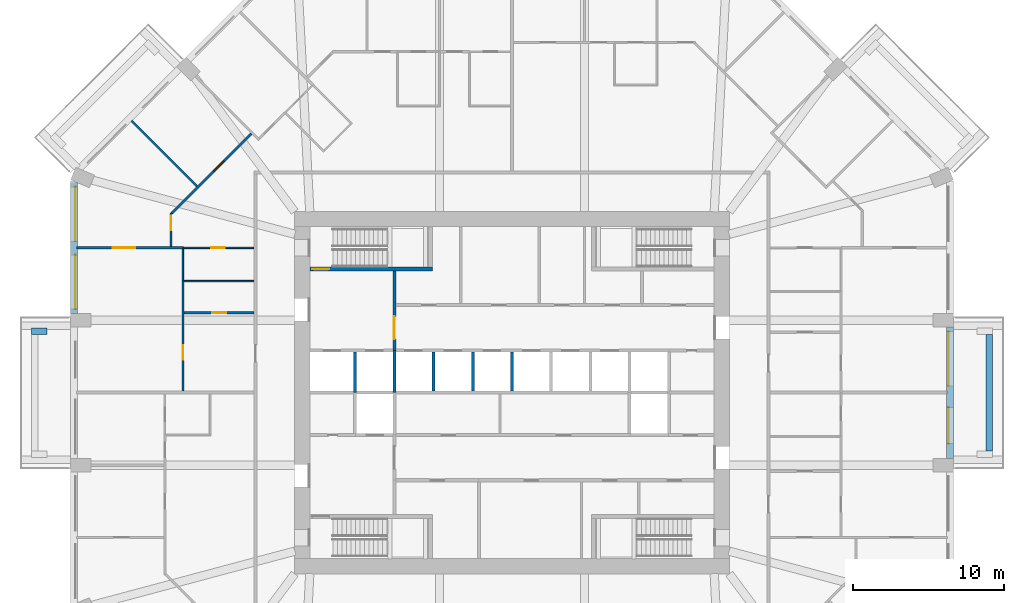
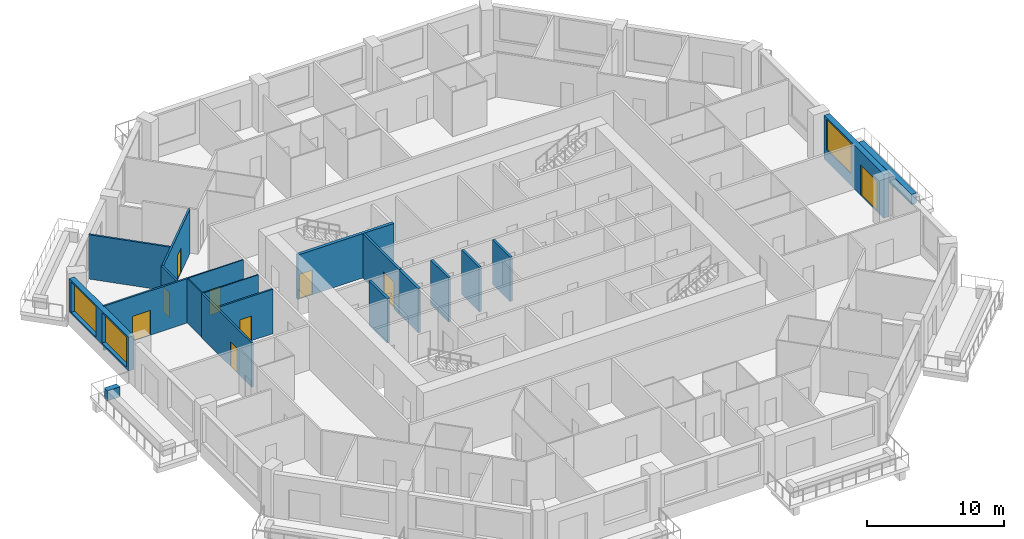
# One storey, part 7 of 13: 20 walls, 9 doors, 3 windows, 12 openings.
"""IFC4 building model written with IfcOpenShell, lengths in metres."""

from ifc_helpers import new_model, si_unit, direction, frame, frame_2d, origin, place, context, subcontext, project, spatial, rectangle, extrude, material, layer, layer_set, type_object, element, fill, save


model = new_model("IFC4")

# Units and contexts
model_context = context("Model", 3, precision=1e-05, world=origin(), true_north=direction((0.0, 1.0)))
body_context = subcontext(model_context, "Body", "Model", "MODEL_VIEW")
ifc_project = project(units=[si_unit("LENGTHUNIT", "METRE"), si_unit("AREAUNIT", "SQUARE_METRE"), si_unit("VOLUMEUNIT", "CUBIC_METRE"), si_unit("PLANEANGLEUNIT", "RADIAN"), si_unit("MASSUNIT", "GRAM", prefix="KILO")], contexts=[model_context])

# Site, building, storey
site_placement = place(None, origin())
site = spatial("IfcSite", under=ifc_project, at=site_placement, CompositionType="ELEMENT")
building_placement = place(site_placement, origin())
building = spatial("IfcBuilding", under=site, at=building_placement, Name="Msitu Wima Residences", CompositionType="ELEMENT")
storey_placement = place(building_placement, frame((0.0, 0.0, 42.300048828125)))
storey = spatial("IfcBuildingStorey", under=building, at=storey_placement, Name="L09", CompositionType="ELEMENT", Elevation=42.300048828125)

# Walls
ifc_material_1 = material(Name="Facing brick")
ifc_layer_1 = layer(ifc_material_1, 0.06494140625, Name="Facing brick")
ifc_material_2 = material(Name="Concrete C40/50", Category="concrete")
ifc_layer_2 = layer(ifc_material_2, 0.156005859375, Name="Concrete C40/50")
ifc_material_3 = material(Name="Waterproofing membrane")
ifc_layer_3 = layer(ifc_material_3, 0.00390625, Name="Waterproofing membrane")
ifc_material_4 = material(Name="Planting soil and planting")
ifc_layer_4 = layer(ifc_material_4, 0.22509765625, Name="Planting soil and planting")
ifc_layer_set_1 = layer_set([ifc_layer_1, ifc_layer_2, ifc_layer_3, ifc_layer_4], Name="Concrete C40/50")
wall_type_1 = type_object("IfcWallType", Name="Balcony planter PLANTER PL450", PredefinedType="USERDEFINED", material=ifc_layer_set_1)
wall_1_placement = place(storey_placement, frame((31.625, -3.85009765625, 0.0), z_axis=(0.0, 0.0, 1.0), x_axis=(0.0, 1.0, 0.0)))
element("IfcWall", 1, at=wall_1_placement, inside=storey, type_object=wall_type_1, Name="Balcony planter E1 L09", ObjectType="PLANTER", PredefinedType="USERDEFINED", context=body_context, shape_type="SweptSolid", body=[
    extrude(rectangle(XDim=7.7001953125, YDim=0.449951171875, at=frame_2d((3.85009765625, 0.0))), origin(), (0.0, 0.0, 1.0), 0.89990234375),
])
wall_2_placement = place(storey_placement, frame((-30.800048828125, 4.074951171875, 0.0), z_axis=(0.0, 0.0, 1.0), x_axis=(-1.0, 0.0, 0.0)))
element("IfcWall", 2, at=wall_2_placement, inside=storey, type_object=wall_type_1, Name="Balcony planter W1 L09", ObjectType="PLANTER", PredefinedType="USERDEFINED", context=body_context, shape_type="SweptSolid", body=[
    extrude(rectangle(XDim=1.050048828125, YDim=0.449951171875, at=frame_2d((0.52490234375, 0.0))), origin(), (0.0, 0.0, 1.0), 0.89990234375),
])

# Wall, openings, door, window
ifc_material_5 = material(Name="Brick (red buff mix)", Category="masonry")
ifc_layer_5 = layer(ifc_material_5, 0.449951171875)
ifc_layer_set_2 = layer_set([ifc_layer_5], Name="Brick (red buff mix)")
wall_type_2 = type_object("IfcWallType", Name="Brick infill wall BW450", PredefinedType="SOLIDWALL", material=ifc_layer_set_2)
wall_3_placement = place(storey_placement, frame((29.02490234375, -4.35009765625, 0.0), z_axis=(0.0, 0.0, 1.0), x_axis=(0.0, 1.0, 0.0)))
wall_3 = element("IfcWall", 3, at=wall_3_placement, inside=storey, type_object=wall_type_2, Name="Brick infill wall L09 E1", PredefinedType="SOLIDWALL", context=body_context, shape_type="SweptSolid", body=[
    extrude(rectangle(XDim=8.7001953125, YDim=0.449951171875, at=frame_2d((4.35009765625, 0.0))), origin(), (0.0, 0.0, 1.0), 3.89990234375),
])
opening_1_placement = place(wall_3_placement, frame((0.97509765625, 0.0, 0.0)))
opening_1 = element("IfcOpeningElement", 4, at=opening_1_placement, cuts=wall_3, Name="Opening D08-10.001", PredefinedType="OPENING", context=body_context, shape_type="SweptSolid", body=[
    extrude(rectangle(XDim=2.39990234375, YDim=2.699951171875, at=frame_2d((1.199951171875, 1.35009765625))), frame((0.0, 0.23486328125, 0.0), z_axis=(0.0, -1.0, 0.0), x_axis=(1.0, 0.0, 0.0)), (0.0, 0.0, 1.0), 0.469970703125),
])
opening_2_placement = place(wall_3_placement, frame((4.800048828125, 0.0, 1.050048828125)))
opening_2 = element("IfcOpeningElement", 5, at=opening_2_placement, cuts=wall_3, Name="Opening W08-10.003", PredefinedType="OPENING", context=body_context, shape_type="SweptSolid", body=[
    extrude(rectangle(XDim=3.60009765625, YDim=2.699951171875, at=frame_2d((1.800048828125, 1.35009765625))), frame((0.0, 0.23486328125, 0.0), z_axis=(0.0, -1.0, 0.0), x_axis=(1.0, 0.0, 0.0)), (0.0, 0.0, 1.0), 0.469970703125),
])
ifc_material_6 = material(Name="Anodised aluminium, bronze finish, clear low-emissivity double glazing", Category="aluminium")
door_type_1 = type_object("IfcDoorType", Name="Balcony door D2400x2700", OperationType="SLIDING_TO_LEFT", PredefinedType="DOOR", material=ifc_material_6)
door_1_placement = place(opening_1_placement, origin())
door_1 = element("IfcDoor", 6, at=door_1_placement, inside=storey, type_object=door_type_1, Name="Balcony door L09 E1", OperationType="SINGLE_SWING_LEFT", OverallHeight=2.699951171875, OverallWidth=2.39990234375, PredefinedType="DOOR", context=body_context, shape_type="SweptSolid", body=[
    extrude(rectangle(XDim=2.39990234375, YDim=2.699951171875, at=frame_2d((1.199951171875, 1.35009765625))), frame((0.0, 0.1298828125, 0.0), z_axis=(0.0, -1.0, 0.0), x_axis=(1.0, 0.0, 0.0)), (0.0, 0.0, 1.0), 0.050048828125),
])
fill(opening_1, door_1)
window_type = type_object("IfcWindowType", Name="Window W3600x2700", PartitioningType="DOUBLE_PANEL_VERTICAL", PredefinedType="WINDOW", material=ifc_material_6)
window_1_placement = place(opening_2_placement, origin())
window_1 = element("IfcWindow", 7, at=window_1_placement, inside=storey, type_object=window_type, Name="Window L09 E1.2", OverallHeight=2.699951171875, OverallWidth=3.60009765625, PartitioningType="SINGLE_PANEL", PredefinedType="WINDOW", context=body_context, shape_type="SweptSolid", body=[
    extrude(rectangle(XDim=3.60009765625, YDim=2.699951171875, at=frame_2d((1.800048828125, 1.35009765625))), frame((0.0, 0.135009765625, 0.0), z_axis=(0.0, -1.0, 0.0), x_axis=(1.0, 0.0, 0.0)), (0.0, 0.0, 1.0), 0.06005859375),
])
fill(opening_2, window_1)

# Wall, openings, windows
wall_4_placement = place(storey_placement, frame((-29.02490234375, 13.912841796875, 0.89990234375), z_axis=(0.0, 0.0, 1.0), x_axis=(0.0, -1.0, 0.0)))
wall_4 = element("IfcWall", 8, at=wall_4_placement, inside=storey, type_object=wall_type_2, Name="Brick infill wall L09 W0", PredefinedType="SOLIDWALL", context=body_context, shape_type="SweptSolid", body=[
    extrude(rectangle(XDim=8.662841796875, YDim=0.449951171875, at=frame_2d((4.33154296875, 0.0))), origin(), (0.0, 0.0, 1.0), 3.0),
])
opening_3_placement = place(wall_4_placement, frame((0.281494140625, 0.0, 0.14990234375)))
opening_3 = element("IfcOpeningElement", 9, at=opening_3_placement, cuts=wall_4, Name="Opening W08-10.026", PredefinedType="OPENING", context=body_context, shape_type="SweptSolid", body=[
    extrude(rectangle(XDim=3.60009765625, YDim=2.699951171875, at=frame_2d((1.800048828125, 1.35009765625))), frame((0.0, 0.23486328125, 0.0), z_axis=(0.0, -1.0, 0.0), x_axis=(1.0, 0.0, 0.0)), (0.0, 0.0, 1.0), 0.469970703125),
])
opening_4_placement = place(wall_4_placement, frame((4.781494140625, 0.0, 0.14990234375)))
opening_4 = element("IfcOpeningElement", 10, at=opening_4_placement, cuts=wall_4, Name="Opening W08-10.027", PredefinedType="OPENING", context=body_context, shape_type="SweptSolid", body=[
    extrude(rectangle(XDim=3.60009765625, YDim=2.699951171875, at=frame_2d((1.800048828125, 1.35009765625))), frame((0.0, 0.23486328125, 0.0), z_axis=(0.0, -1.0, 0.0), x_axis=(1.0, 0.0, 0.0)), (0.0, 0.0, 1.0), 0.469970703125),
])
window_2_placement = place(opening_3_placement, origin())
window_2 = element("IfcWindow", 11, at=window_2_placement, inside=storey, type_object=window_type, Name="Window L09 W0.1", OverallHeight=2.699951171875, OverallWidth=3.60009765625, PartitioningType="SINGLE_PANEL", PredefinedType="WINDOW", context=body_context, shape_type="SweptSolid", body=[
    extrude(rectangle(XDim=3.60009765625, YDim=2.699951171875, at=frame_2d((1.800048828125, 1.35009765625))), frame((0.0, 0.135009765625, 0.0), z_axis=(0.0, -1.0, 0.0), x_axis=(1.0, 0.0, 0.0)), (0.0, 0.0, 1.0), 0.06005859375),
])
fill(opening_3, window_2)
window_3_placement = place(opening_4_placement, origin())
window_3 = element("IfcWindow", 12, at=window_3_placement, inside=storey, type_object=window_type, Name="Window L09 W0.2", OverallHeight=2.699951171875, OverallWidth=3.60009765625, PartitioningType="SINGLE_PANEL", PredefinedType="WINDOW", context=body_context, shape_type="SweptSolid", body=[
    extrude(rectangle(XDim=3.60009765625, YDim=2.699951171875, at=frame_2d((1.800048828125, 1.35009765625))), frame((0.0, 0.135009765625, 0.0), z_axis=(0.0, -1.0, 0.0), x_axis=(1.0, 0.0, 0.0)), (0.0, 0.0, 1.0), 0.06005859375),
])
fill(opening_4, window_3)

# Wall, opening, door
ifc_material_7 = material(Name="Plaster")
ifc_layer_6 = layer(ifc_material_7, 0.011962890625, Name="Plaster")
ifc_material_8 = material(Name="Concrete blockwork", Category="masonry")
ifc_layer_7 = layer(ifc_material_8, 0.176025390625, Name="Concrete blockwork")
ifc_layer_8 = layer(ifc_material_7, 0.011962890625, Name="Plaster")
ifc_layer_set_3 = layer_set([ifc_layer_6, ifc_layer_7, ifc_layer_8], Name="Concrete blockwork")
wall_type_3 = type_object("IfcWallType", Name="Corridor wall FW200", PredefinedType="PARTITIONING", material=ifc_layer_set_3)
wall_5_placement = place(storey_placement, frame((-7.800048828125, 2.800048828125, 0.0), z_axis=(0.0, 0.0, 1.0), x_axis=(0.0, 1.0, 0.0)))
wall_5 = element("IfcWall", 13, at=wall_5_placement, inside=storey, type_object=wall_type_3, Name="Corridor wall", PredefinedType="PARTITIONING", context=body_context, shape_type="SweptSolid", body=[
    extrude(rectangle(XDim=5.27490234375, YDim=0.199951171875, at=frame_2d((2.637451171875, 0.0))), origin(), (0.0, 0.0, 1.0), 3.949951171875),
])
opening_5_placement = place(wall_5_placement, frame((0.75, 0.0, 0.0)))
opening_5 = element("IfcOpeningElement", 14, at=opening_5_placement, cuts=wall_5, Name="Opening D08-10.017", PredefinedType="OPENING", context=body_context, shape_type="SweptSolid", body=[
    extrude(rectangle(XDim=1.5, YDim=2.39990234375, at=frame_2d((0.75, 1.199951171875))), frame((0.0, 0.10986328125, 0.0), z_axis=(0.0, -1.0, 0.0), x_axis=(1.0, 0.0, 0.0)), (0.0, 0.0, 1.0), 0.219970703125),
])
ifc_material_9 = material(Name="Steel framed glazed door, fire resisting", Category="steel")
door_type_2 = type_object("IfcDoorType", Name="Lobby door D07 1500x2400", OperationType="DOUBLE_DOOR_SINGLE_SWING", PredefinedType="DOOR", material=ifc_material_9)
door_2_placement = place(opening_5_placement, origin())
door_2 = element("IfcDoor", 15, at=door_2_placement, inside=storey, type_object=door_type_2, Name="Lobby door", OperationType="DOUBLE_DOOR_SINGLE_SWING", OverallHeight=2.39990234375, OverallWidth=1.5, PredefinedType="DOOR", context=body_context, shape_type="SweptSolid", body=[
    extrude(rectangle(XDim=1.5, YDim=2.39990234375, at=frame_2d((0.75, 1.199951171875))), frame((0.0, 0.02490234375, 0.0), z_axis=(0.0, -1.0, 0.0), x_axis=(1.0, 0.0, 0.0)), (0.0, 0.0, 1.0), 0.050048828125),
])
fill(opening_5, door_2)

ifc_layer_9 = layer(ifc_material_7, 0.011962890625, Name="Plaster")
ifc_layer_10 = layer(ifc_material_8, 0.1259765625, Name="Concrete blockwork")
ifc_layer_11 = layer(ifc_material_7, 0.011962890625, Name="Plaster")
ifc_layer_set_4 = layer_set([ifc_layer_9, ifc_layer_10, ifc_layer_11], Name="Concrete blockwork")
wall_type_4 = type_object("IfcWallType", Name="Partition PW150", PredefinedType="PARTITIONING", material=ifc_layer_set_4)
wall_6_placement = place(storey_placement, frame((-28.85498046875, 9.60009765625, 0.0), z_axis=(0.0, 0.0, 1.0), x_axis=(1.0, 0.0, 0.0)))
wall_6 = element("IfcWall", 16, at=wall_6_placement, inside=storey, type_object=wall_type_4, Name="Partition", PredefinedType="PARTITIONING", context=body_context, shape_type="SweptSolid", body=[
    extrude(rectangle(XDim=7.074951171875, YDim=0.14990234375, at=frame_2d((3.53759765625, 0.0))), origin(), (0.0, 0.0, 1.0), 3.949951171875),
])
opening_6_placement = place(wall_6_placement, frame((2.39990234375, 0.0, 0.0)))
opening_6 = element("IfcOpeningElement", 17, at=opening_6_placement, cuts=wall_6, Name="Opening D08-10.045", PredefinedType="OPENING", context=body_context, shape_type="SweptSolid", body=[
    extrude(rectangle(XDim=1.5, YDim=2.199951171875, at=frame_2d((0.75, 1.10009765625))), frame((0.0, 0.0849609375, 0.0), z_axis=(0.0, -1.0, 0.0), x_axis=(1.0, 0.0, 0.0)), (0.0, 0.0, 1.0), 0.169921875),
])
ifc_material_10 = material(Name="Timber double door", Category="wood")
door_type_3 = type_object("IfcDoorType", Name="Double door D04 1500x2200", OperationType="DOUBLE_DOOR_SINGLE_SWING", PredefinedType="DOOR", material=ifc_material_10)
door_3_placement = place(opening_6_placement, origin())
door_3 = element("IfcDoor", 18, at=door_3_placement, inside=storey, type_object=door_type_3, Name="Double door", OperationType="DOUBLE_DOOR_SINGLE_SWING", OverallHeight=2.199951171875, OverallWidth=1.5, PredefinedType="DOOR", context=body_context, shape_type="SweptSolid", body=[
    extrude(rectangle(XDim=1.5, YDim=2.199951171875, at=frame_2d((0.75, 1.10009765625))), frame((0.0, 0.02490234375, 0.0), z_axis=(0.0, -1.0, 0.0), x_axis=(1.0, 0.0, 0.0)), (0.0, 0.0, 1.0), 0.050048828125),
])
fill(opening_6, door_3)

# Wall
wall_7_placement = place(storey_placement, frame((-25.2177734375, 18.017578125, 0.0), z_axis=(0.0, 0.0, 1.0), x_axis=(0.707126629519, -0.707086932297, 0.0)))
element("IfcWall", 19, at=wall_7_placement, inside=storey, type_object=wall_type_4, Name="Partition", PredefinedType="PARTITIONING", context=body_context, shape_type="SweptSolid", body=[
    extrude(rectangle(XDim=6.150146484375, YDim=0.14990234375, at=frame_2d((3.0751953125, 0.0))), origin(), (0.0, 0.0, 1.0), 3.949951171875),
])

# Wall, opening, door
wall_8_placement = place(storey_placement, frame((-22.60009765625, 9.675048828125, 0.0), z_axis=(0.0, 0.0, 1.0), x_axis=(0.0, 1.0, 0.0)))
wall_8 = element("IfcWall", 20, at=wall_8_placement, inside=storey, type_object=wall_type_4, Name="Partition", PredefinedType="PARTITIONING", context=body_context, shape_type="SweptSolid", body=[
    extrude(rectangle(XDim=2.23193359375, YDim=0.14990234375, at=frame_2d((1.115966796875, 0.0))), origin(), (0.0, 0.0, 1.0), 3.949951171875),
])
opening_7_placement = place(wall_8_placement, frame((1.10009765625, 0.0, 0.0)))
opening_7 = element("IfcOpeningElement", 21, at=opening_7_placement, cuts=wall_8, Name="Opening D08-10.047", PredefinedType="OPENING", context=body_context, shape_type="SweptSolid", body=[
    extrude(rectangle(XDim=0.949951171875, YDim=2.199951171875, at=frame_2d((0.47509765625, 1.10009765625))), frame((0.0, 0.0849609375, 0.0), z_axis=(0.0, -1.0, 0.0), x_axis=(1.0, 0.0, 0.0)), (0.0, 0.0, 1.0), 0.169921875),
])
ifc_material_11 = material(Name="Timber flush door", Category="wood")
door_type_4 = type_object("IfcDoorType", Name="Room door D12 950x2200", OperationType="SINGLE_SWING_LEFT", PredefinedType="DOOR", material=ifc_material_11)
door_4_placement = place(opening_7_placement, origin())
door_4 = element("IfcDoor", 22, at=door_4_placement, inside=storey, type_object=door_type_4, Name="Room door", OperationType="SINGLE_SWING_LEFT", OverallHeight=2.199951171875, OverallWidth=0.949951171875, PredefinedType="DOOR", context=body_context, shape_type="SweptSolid", body=[
    extrude(rectangle(XDim=0.949951171875, YDim=2.199951171875, at=frame_2d((0.47509765625, 1.10009765625))), frame((0.0, 0.02490234375, 0.0), z_axis=(0.0, -1.0, 0.0), x_axis=(1.0, 0.0, 0.0)), (0.0, 0.0, 1.0), 0.050048828125),
])
fill(opening_7, door_4)

wall_9_placement = place(storey_placement, frame((-22.546875, 11.885009765625, 0.0), z_axis=(0.0, 0.0, 1.0), x_axis=(0.707106781187, 0.707106781187, 0.0)))
wall_9 = element("IfcWall", 23, at=wall_9_placement, inside=storey, type_object=wall_type_4, Name="Partition", PredefinedType="PARTITIONING", context=body_context, shape_type="SweptSolid", body=[
    extrude(rectangle(XDim=7.4638671875, YDim=0.14990234375, at=frame_2d((3.73193359375, 0.0))), origin(), (0.0, 0.0, 1.0), 3.949951171875),
])
opening_8_placement = place(wall_9_placement, frame((3.949951171875, 0.0, 0.0)))
opening_8 = element("IfcOpeningElement", 24, at=opening_8_placement, cuts=wall_9, Name="Opening D08-10.048", PredefinedType="OPENING", context=body_context, shape_type="SweptSolid", body=[
    extrude(rectangle(XDim=0.949951171875, YDim=2.199951171875, at=frame_2d((0.47509765625, 1.10009765625))), frame((0.0, 0.0849609375, 0.0), z_axis=(0.0, -1.0, 0.0), x_axis=(1.0, 0.0, 0.0)), (0.0, 0.0, 1.0), 0.169921875),
])
door_5_placement = place(opening_8_placement, origin())
door_5 = element("IfcDoor", 25, at=door_5_placement, inside=storey, type_object=door_type_4, Name="Room door", OperationType="SINGLE_SWING_LEFT", OverallHeight=2.199951171875, OverallWidth=0.949951171875, PredefinedType="DOOR", context=body_context, shape_type="SweptSolid", body=[
    extrude(rectangle(XDim=0.949951171875, YDim=2.199951171875, at=frame_2d((0.47509765625, 1.10009765625))), frame((0.0, 0.02490234375, 0.0), z_axis=(0.0, -1.0, 0.0), x_axis=(1.0, 0.0, 0.0)), (0.0, 0.0, 1.0), 0.050048828125),
])
fill(opening_8, door_5)

wall_10_placement = place(storey_placement, frame((-21.800048828125, 0.10009765625, 0.0), z_axis=(0.0, 0.0, 1.0), x_axis=(0.0, 1.0, 0.0)))
wall_10 = element("IfcWall", 26, at=wall_10_placement, inside=storey, type_object=wall_type_4, Name="Partition", PredefinedType="PARTITIONING", context=body_context, shape_type="SweptSolid", body=[
    extrude(rectangle(XDim=7.31982421875, YDim=0.14990234375, at=frame_2d((3.659912109375, 0.0))), origin(), (0.0, 0.0, 1.0), 3.949951171875),
])
opening_9_placement = place(wall_10_placement, frame((2.10009765625, 0.0, 0.0)))
opening_9 = element("IfcOpeningElement", 27, at=opening_9_placement, cuts=wall_10, Name="Opening D08-10.044", PredefinedType="OPENING", context=body_context, shape_type="SweptSolid", body=[
    extrude(rectangle(XDim=0.949951171875, YDim=2.199951171875, at=frame_2d((0.47509765625, 1.10009765625))), frame((0.0, 0.0849609375, 0.0), z_axis=(0.0, -1.0, 0.0), x_axis=(1.0, 0.0, 0.0)), (0.0, 0.0, 1.0), 0.169921875),
])
door_6_placement = place(opening_9_placement, origin())
door_6 = element("IfcDoor", 28, at=door_6_placement, inside=storey, type_object=door_type_4, Name="Room door", OperationType="SINGLE_SWING_LEFT", OverallHeight=2.199951171875, OverallWidth=0.949951171875, PredefinedType="DOOR", context=body_context, shape_type="SweptSolid", body=[
    extrude(rectangle(XDim=0.949951171875, YDim=2.199951171875, at=frame_2d((0.47509765625, 1.10009765625))), frame((0.0, 0.02490234375, 0.0), z_axis=(0.0, -1.0, 0.0), x_axis=(1.0, 0.0, 0.0)), (0.0, 0.0, 1.0), 0.050048828125),
])
fill(opening_9, door_6)

wall_11_placement = place(storey_placement, frame((-21.72509765625, 5.300048828125, 0.0), z_axis=(0.0, 0.0, 1.0), x_axis=(1.0, 0.0, 0.0)))
wall_11 = element("IfcWall", 29, at=wall_11_placement, inside=storey, type_object=wall_type_4, Name="Partition", PredefinedType="PARTITIONING", context=body_context, shape_type="SweptSolid", body=[
    extrude(rectangle(XDim=4.625, YDim=0.14990234375, at=frame_2d((2.3125, 0.0))), origin(), (0.0, 0.0, 1.0), 3.949951171875),
])
opening_10_placement = place(wall_11_placement, frame((1.85009765625, 0.0, 0.0)))
opening_10 = element("IfcOpeningElement", 30, at=opening_10_placement, cuts=wall_11, Name="Opening D08-10.046", PredefinedType="OPENING", context=body_context, shape_type="SweptSolid", body=[
    extrude(rectangle(XDim=0.949951171875, YDim=2.199951171875, at=frame_2d((0.47509765625, 1.10009765625))), frame((0.0, 0.0849609375, 0.0), z_axis=(0.0, -1.0, 0.0), x_axis=(1.0, 0.0, 0.0)), (0.0, 0.0, 1.0), 0.169921875),
])
door_7_placement = place(opening_10_placement, origin())
door_7 = element("IfcDoor", 31, at=door_7_placement, inside=storey, type_object=door_type_4, Name="Room door", OperationType="SINGLE_SWING_RIGHT", OverallHeight=2.199951171875, OverallWidth=0.949951171875, PredefinedType="DOOR", context=body_context, shape_type="SweptSolid", body=[
    extrude(rectangle(XDim=0.949951171875, YDim=2.199951171875, at=frame_2d((0.47509765625, 1.10009765625))), frame((0.0, 0.02490234375, 0.0), z_axis=(0.0, -1.0, 0.0), x_axis=(1.0, 0.0, 0.0)), (0.0, 0.0, 1.0), 0.050048828125),
])
fill(opening_10, door_7)

# Walls
ifc_material_12 = material(Name="Fire-rated board")
ifc_layer_12 = layer(ifc_material_12, 0.02490234375, Name="Fire-rated board")
ifc_material_13 = material(Name="Light-gauge stud framing with mineral wool")
ifc_layer_13 = layer(ifc_material_13, 0.14990234375, Name="Light-gauge stud framing with mineral wool")
ifc_layer_14 = layer(ifc_material_12, 0.02490234375, Name="Fire-rated board")
ifc_layer_set_5 = layer_set([ifc_layer_12, ifc_layer_13, ifc_layer_14], Name="Light-gauge stud framing with mineral wool")
wall_type_5 = type_object("IfcWallType", Name="Shaft wall SH200", PredefinedType="PARTITIONING", material=ifc_layer_set_5)
wall_12_placement = place(storey_placement, frame((-10.39990234375, 0.0, 0.0), z_axis=(0.0, 0.0, 1.0), x_axis=(0.0, 1.0, 0.0)))
element("IfcWall", 32, at=wall_12_placement, inside=storey, type_object=wall_type_5, Name="Shaft wall", PredefinedType="PARTITIONING", context=body_context, shape_type="SweptSolid", body=[
    extrude(rectangle(XDim=2.699951171875, YDim=0.199951171875, at=frame_2d((1.35009765625, 0.0))), origin(), (0.0, 0.0, 1.0), 3.949951171875),
])
wall_13_placement = place(storey_placement, frame((-7.800048828125, 0.0, 0.0), z_axis=(0.0, 0.0, 1.0), x_axis=(0.0, 1.0, 0.0)))
element("IfcWall", 33, at=wall_13_placement, inside=storey, type_object=wall_type_5, Name="Shaft wall", PredefinedType="PARTITIONING", context=body_context, shape_type="SweptSolid", body=[
    extrude(rectangle(XDim=2.800048828125, YDim=0.199951171875, at=frame_2d((1.39990234375, 0.0))), origin(), (0.0, 0.0, 1.0), 3.949951171875),
])
for number, where, z_axis, x_axis, name in (
    (34, (-5.199951171875, 0.10009765625, 0.0), (0.0, 0.0, 1.0), (0.0, 1.0, 0.0), "Shaft wall"),
    (35, (-2.60009765625, 0.10009765625, 0.0), (0.0, 0.0, 1.0), (0.0, 1.0, 0.0), "Shaft wall"),
    (36, (0.0, 0.10009765625, 0.0), (0.0, 0.0, 1.0), (0.0, 1.0, 0.0), "Shaft wall"),
):
    element("IfcWall", number, at=place(storey_placement, frame(where, z_axis=z_axis, x_axis=x_axis)), inside=storey, type_object=wall_type_5, Name=name, PredefinedType="PARTITIONING", context=body_context, shape_type="SweptSolid", body=[
        extrude(rectangle(XDim=2.599853515625, YDim=0.199951171875, at=frame_2d((1.2998046875, 0.0))), origin(), (0.0, 0.0, 1.0), 3.949951171875),
    ])

# Wall, opening, door
ifc_material_14 = material(Name="Concrete C50/60", Category="concrete")
ifc_layer_15 = layer(ifc_material_14, 0.25)
ifc_layer_set_6 = layer_set([ifc_layer_15], Name="Concrete C50/60")
wall_type_6 = type_object("IfcWallType", Name="Stair enclosure wall SW250", PredefinedType="SHEAR", material=ifc_layer_set_6)
wall_14_placement = place(storey_placement, frame((-13.3701171875, 8.199951171875, 0.0), z_axis=(0.0, 0.0, 1.0), x_axis=(1.0, 0.0, 0.0)))
wall_14 = element("IfcWall", 37, at=wall_14_placement, inside=storey, type_object=wall_type_6, Name="Stair enclosure wall", PredefinedType="SHEAR", context=body_context, shape_type="SweptSolid", body=[
    extrude(rectangle(XDim=8.09521484375, YDim=0.25, at=frame_2d((4.047607421875, 0.0))), origin(), (0.0, 0.0, 1.0), 3.949951171875),
])
opening_11_placement = place(wall_14_placement, frame((0.14990234375, 0.0, 0.0)))
opening_11 = element("IfcOpeningElement", 38, at=opening_11_placement, cuts=wall_14, Name="Opening D08-10.036", PredefinedType="OPENING", context=body_context, shape_type="SweptSolid", body=[
    extrude(rectangle(XDim=1.10009765625, YDim=2.199951171875, at=frame_2d((0.550048828125, 1.10009765625))), frame((0.0, 0.135009765625, 0.0), z_axis=(0.0, -1.0, 0.0), x_axis=(1.0, 0.0, 0.0)), (0.0, 0.0, 1.0), 0.27001953125),
])
ifc_material_15 = material(Name="Steel door, fire resisting, panic bar", Category="steel")
door_type_5 = type_object("IfcDoorType", Name="Stair door D06 1100x2200", OperationType="SINGLE_SWING_LEFT", PredefinedType="DOOR", material=ifc_material_15)
door_8_placement = place(opening_11_placement, origin())
door_8 = element("IfcDoor", 39, at=door_8_placement, inside=storey, type_object=door_type_5, Name="Stair door", OperationType="SINGLE_SWING_LEFT", OverallHeight=2.199951171875, OverallWidth=1.10009765625, PredefinedType="DOOR", context=body_context, shape_type="SweptSolid", body=[
    extrude(rectangle(XDim=1.10009765625, YDim=2.199951171875, at=frame_2d((0.550048828125, 1.10009765625))), frame((0.0, 0.02490234375, 0.0), z_axis=(0.0, -1.0, 0.0), x_axis=(1.0, 0.0, 0.0)), (0.0, 0.0, 1.0), 0.050048828125),
])
fill(opening_11, door_8)

ifc_material_16 = material(Name="Ceramic tiles")
ifc_layer_16 = layer(ifc_material_16, 0.008056640625, Name="Ceramic tiles")
ifc_material_17 = material(Name="Moisture-resistant board")
ifc_layer_17 = layer(ifc_material_17, 0.012451171875, Name="Moisture-resistant board")
ifc_layer_18 = layer(ifc_material_13, 0.06689453125, Name="Light-gauge stud framing with mineral wool")
ifc_layer_19 = layer(ifc_material_17, 0.012451171875, Name="Moisture-resistant board")
ifc_layer_set_7 = layer_set([ifc_layer_16, ifc_layer_17, ifc_layer_18, ifc_layer_19], Name="Light-gauge stud framing with mineral wool")
wall_type_7 = type_object("IfcWallType", Name="Wet wall PW100", PredefinedType="PARTITIONING", material=ifc_layer_set_7)
wall_15_placement = place(storey_placement, frame((-21.780029296875, 9.60009765625, 0.0), z_axis=(0.0, 0.0, 1.0), x_axis=(1.0, 0.0, 0.0)))
wall_15 = element("IfcWall", 40, at=wall_15_placement, inside=storey, type_object=wall_type_7, Name="Wet wall", PredefinedType="PARTITIONING", context=body_context, shape_type="SweptSolid", body=[
    extrude(rectangle(XDim=4.679931640625, YDim=0.10009765625, at=frame_2d((2.33984375, 0.0))), origin(), (0.0, 0.0, 1.0), 3.949951171875),
])
opening_12_placement = place(wall_15_placement, frame((1.85009765625, 0.0, 0.0)))
opening_12 = element("IfcOpeningElement", 41, at=opening_12_placement, cuts=wall_15, Name="Opening D08-10.056", PredefinedType="OPENING", context=body_context, shape_type="SweptSolid", body=[
    extrude(rectangle(XDim=0.89990234375, YDim=2.199951171875, at=frame_2d((0.449951171875, 1.10009765625))), frame((0.0, 0.06005859375, 0.0), z_axis=(0.0, -1.0, 0.0), x_axis=(1.0, 0.0, 0.0)), (0.0, 0.0, 1.0), 0.1201171875),
])
ifc_material_18 = material(Name="Timber flush door, moisture resistant", Category="wood")
door_type_6 = type_object("IfcDoorType", Name="Bathroom door D03 900x2200", OperationType="SINGLE_SWING_LEFT", PredefinedType="DOOR", material=ifc_material_18)
door_9_placement = place(opening_12_placement, origin())
door_9 = element("IfcDoor", 42, at=door_9_placement, inside=storey, type_object=door_type_6, Name="Bathroom door", OperationType="SINGLE_SWING_RIGHT", OverallHeight=2.199951171875, OverallWidth=0.89990234375, PredefinedType="DOOR", context=body_context, shape_type="SweptSolid", body=[
    extrude(rectangle(XDim=0.89990234375, YDim=2.199951171875, at=frame_2d((0.449951171875, 1.10009765625))), frame((0.0, 0.02490234375, 0.0), z_axis=(0.0, -1.0, 0.0), x_axis=(1.0, 0.0, 0.0)), (0.0, 0.0, 1.0), 0.050048828125),
])
fill(opening_12, door_9)

# Walls
wall_16_placement = place(storey_placement, frame((-21.800048828125, 7.419921875, 0.0), z_axis=(0.0, 0.0, 1.0), x_axis=(0.0, 1.0, 0.0)))
element("IfcWall", 43, at=wall_16_placement, inside=storey, type_object=wall_type_7, Name="Wet wall", PredefinedType="PARTITIONING", context=body_context, shape_type="SweptSolid", body=[
    extrude(rectangle(XDim=2.10498046875, YDim=0.10009765625, at=frame_2d((1.052490234375, 0.0))), origin(), (0.0, 0.0, 1.0), 3.949951171875),
])
wall_17_placement = place(storey_placement, frame((-21.72509765625, 7.39990234375, 0.0), z_axis=(0.0, 0.0, 1.0), x_axis=(1.0, 0.0, 0.0)))
element("IfcWall", 44, at=wall_17_placement, inside=storey, type_object=wall_type_7, Name="Wet wall", PredefinedType="PARTITIONING", context=body_context, shape_type="SweptSolid", body=[
    extrude(rectangle(XDim=4.625, YDim=0.10009765625, at=frame_2d((2.3125, 0.0))), origin(), (0.0, 0.0, 1.0), 3.949951171875),
])

save(model, "model.ifc")
